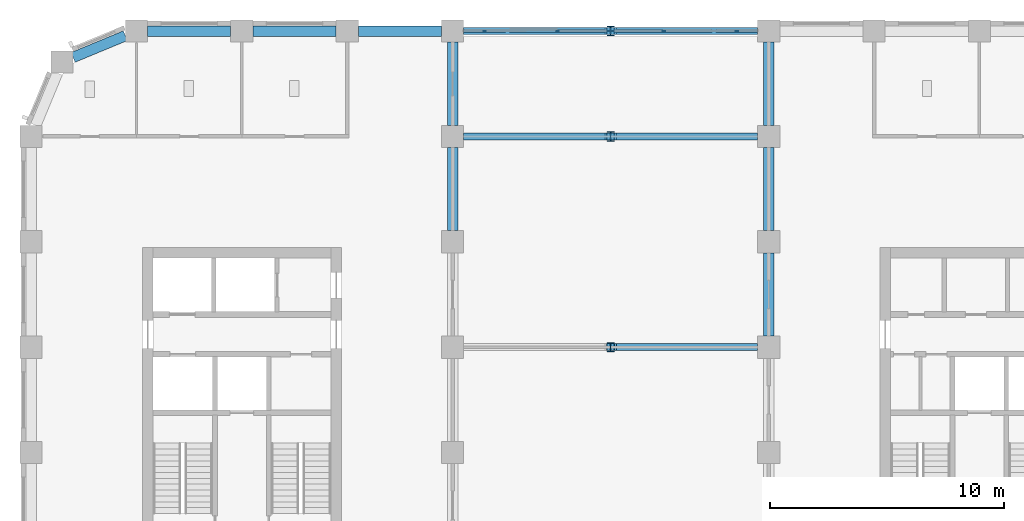
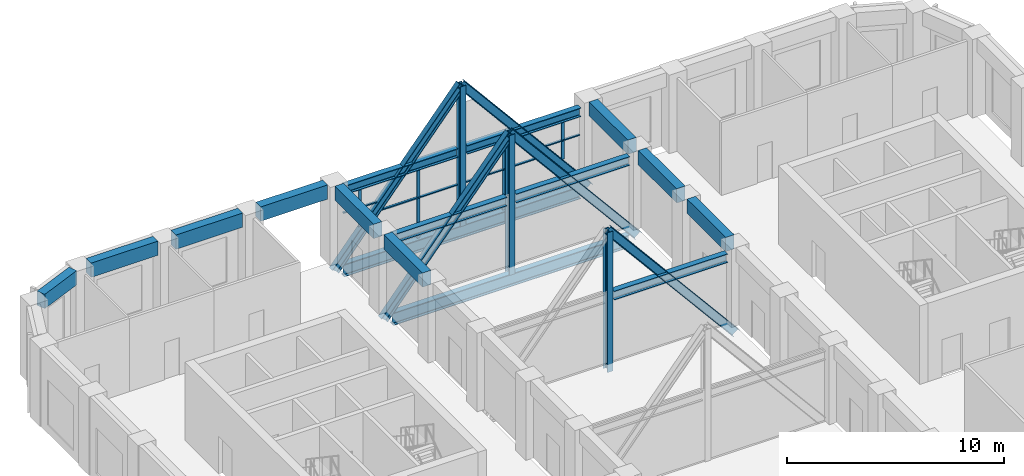
# One storey, part 5 of 15: 23 members, 9 beams, 4 elements without a shape of their own.
"""IFC4 building model written with IfcOpenShell, lengths in metres."""

from ifc_helpers import new_model, si_unit, direction, frame, origin, origin_2d, place, context, subcontext, project, spatial, rectangle, i_section, extrude, material, material_profile, profile_set, type_object, element, aggregate, save


model = new_model("IFC4")

# Units and contexts
model_context = context("Model", 3, precision=1e-05, world=origin(), true_north=direction((0.0, 1.0)))
body_context = subcontext(model_context, "Body", "Model", "MODEL_VIEW")
ifc_project = project(units=[si_unit("LENGTHUNIT", "METRE"), si_unit("AREAUNIT", "SQUARE_METRE"), si_unit("VOLUMEUNIT", "CUBIC_METRE"), si_unit("PLANEANGLEUNIT", "RADIAN"), si_unit("MASSUNIT", "GRAM", prefix="KILO")], contexts=[model_context])

# Site, building, storey
site_placement = place(None, origin())
site = spatial("IfcSite", under=ifc_project, at=site_placement, CompositionType="ELEMENT")
building_placement = place(site_placement, origin())
building = spatial("IfcBuilding", under=site, at=building_placement, Name="Girih Gate Residences", CompositionType="ELEMENT")
storey_placement = place(building_placement, frame((0.0, 0.0, 168.199951171875)))
storey = spatial("IfcBuildingStorey", under=building, at=storey_placement, Name="L46", CompositionType="ELEMENT", Elevation=168.199951171875)

# Members
ifc_material_1 = material(Name="Steel S460", Category="steel")
ifc_material_profile_1 = material_profile(ifc_material_1, i_section(OverallWidth=0.300048828125, OverallDepth=0.699951171875, WebThickness=0.01708984375, FlangeThickness=0.031982421875, FilletRadius=0.027099609375, at=origin_2d()))
ifc_profile_set_1 = profile_set([ifc_material_profile_1], Name="Steel S460")
member_type_1 = type_object("IfcMemberType", Name="Bridge truss bottom chord HE 700 B Steel S460", PredefinedType="CHORD", material=ifc_profile_set_1)
for number, where, z_axis, x_axis, name in (
    (1, (18.47509765625, 45.0, -0.800048828125), (1.0, 0.0, 0.0), (0.0, 1.0, 0.0), "Bridge truss chord at 45"),
    (2, (18.47509765625, 49.5, -0.800048828125), (1.0, 0.0, 0.0), (0.0, 1.0, 0.0), "Bridge truss chord at 49.5"),
):
    element("IfcMember", number, at=place(storey_placement, frame(where, z_axis=z_axis, x_axis=x_axis)), inside=storey, type_object=member_type_1, Name=name, PredefinedType="CHORD", context=body_context, shape_type="SweptSolid", body=[
        extrude(i_section(OverallWidth=0.300048828125, OverallDepth=0.699951171875, WebThickness=0.01708984375, FlangeThickness=0.031982421875, FilletRadius=0.027099609375, at=origin_2d()), origin(), (0.0, 0.0, 1.0), 12.5498046875),
    ])
ifc_material_profile_2 = material_profile(ifc_material_1, i_section(OverallWidth=0.300048828125, OverallDepth=0.5, WebThickness=0.014404296875, FlangeThickness=0.028076171875, FilletRadius=0.027099609375, at=origin_2d()))
ifc_profile_set_2 = profile_set([ifc_material_profile_2], Name="Steel S460")
member_type_2 = type_object("IfcMemberType", Name="Bridge truss chord HE 500 B Steel S460", PredefinedType="CHORD", material=ifc_profile_set_2)
for number, where, z_axis, x_axis, name in (
    (3, (25.0, 36.0, 3.699951171875), (1.0, 0.0, 0.0), (0.0, 1.0, 0.0), "Bridge truss chord at 36"),
    (4, (18.47509765625, 45.0, 3.699951171875), (1.0, 0.0, 0.0), (0.0, 1.0, 0.0), "Bridge truss chord at 45"),
    (5, (25.0, 45.0, 3.699951171875), (1.0, 0.0, 0.0), (0.0, 1.0, 0.0), "Bridge truss chord at 45"),
    (6, (18.47509765625, 49.5, 3.699951171875), (1.0, 0.0, 0.0), (0.0, 1.0, 0.0), "Bridge truss chord at 49.5"),
    (7, (25.0, 49.5, 3.699951171875), (1.0, 0.0, 0.0), (0.0, 1.0, 0.0), "Bridge truss chord at 49.5"),
):
    element("IfcMember", number, at=place(storey_placement, frame(where, z_axis=z_axis, x_axis=x_axis)), inside=storey, type_object=member_type_2, Name=name, PredefinedType="CHORD", context=body_context, shape_type="SweptSolid", body=[
        extrude(i_section(OverallWidth=0.300048828125, OverallDepth=0.5, WebThickness=0.014404296875, FlangeThickness=0.028076171875, FilletRadius=0.027099609375, at=origin_2d()), origin(), (0.0, 0.0, 1.0), 6.02490234375),
    ])
ifc_material_profile_3 = material_profile(ifc_material_1, i_section(OverallWidth=0.300048828125, OverallDepth=0.43994140625, WebThickness=0.013916015625, FlangeThickness=0.02587890625, FilletRadius=0.027099609375, at=origin_2d()))
ifc_profile_set_3 = profile_set([ifc_material_profile_3], Name="Steel S460")
member_type_3 = type_object("IfcMemberType", Name="Bridge truss diagonal HE 450 B Steel S460", PredefinedType="BRACE", material=ifc_profile_set_3)
for number, where, z_axis, x_axis, name in (
    (8, (24.75, 36.0, 7.400146484375), (0.64017984464, 0.0, -0.768225075429), (0.0, 1.0, 0.0), "Bridge truss diagonal at 36"),
    (9, (18.0, 45.0, -0.699951171875), (0.64017984464, 0.0, 0.768225075429), (0.0, 1.0, 0.0), "Bridge truss diagonal at 45"),
    (10, (24.75, 45.0, 7.400146484375), (0.64017984464, 0.0, -0.768225075429), (0.0, 1.0, 0.0), "Bridge truss diagonal at 45"),
    (11, (18.0, 49.5, -0.699951171875), (0.64017984464, 0.0, 0.768225075429), (0.0, 1.0, 0.0), "Bridge truss diagonal at 49.5"),
    (12, (24.75, 49.5, 7.400146484375), (0.64017984464, 0.0, -0.768225075429), (0.0, 1.0, 0.0), "Bridge truss diagonal at 49.5"),
):
    element("IfcMember", number, at=place(storey_placement, frame(where, z_axis=z_axis, x_axis=x_axis)), inside=storey, type_object=member_type_3, Name=name, PredefinedType="BRACE", context=body_context, shape_type="SweptSolid", body=[
        extrude(i_section(OverallWidth=0.300048828125, OverallDepth=0.43994140625, WebThickness=0.013916015625, FlangeThickness=0.02587890625, FilletRadius=0.027099609375, at=origin_2d()), origin(), (0.0, 0.0, 1.0), 10.5439453125),
    ])
ifc_material_profile_4 = material_profile(ifc_material_1, i_section(OverallWidth=0.300048828125, OverallDepth=0.39990234375, WebThickness=0.013427734375, FlangeThickness=0.02392578125, FilletRadius=0.027099609375, at=origin_2d()))
ifc_profile_set_4 = profile_set([ifc_material_profile_4], Name="Steel S460")
member_type_4 = type_object("IfcMemberType", Name="Bridge truss post HE 400 B Steel S460", PredefinedType="POST", material=ifc_profile_set_4)
for number, where, z_axis, x_axis, name in (
    (13, (24.75, 36.0, -0.449951171875), (0.0, 0.0, 1.0), (1.0, 0.0, 0.0), "Bridge truss post at 36"),
    (14, (24.75, 45.0, -0.449951171875), (0.0, 0.0, 1.0), (1.0, 0.0, 0.0), "Bridge truss post at 45"),
    (15, (24.75, 49.5, -0.449951171875), (0.0, 0.0, 1.0), (1.0, 0.0, 0.0), "Bridge truss post at 49.5"),
):
    element("IfcMember", number, at=place(storey_placement, frame(where, z_axis=z_axis, x_axis=x_axis)), inside=storey, type_object=member_type_4, Name=name, PredefinedType="POST", context=body_context, shape_type="SweptSolid", body=[
        extrude(i_section(OverallWidth=0.300048828125, OverallDepth=0.39990234375, WebThickness=0.013427734375, FlangeThickness=0.02392578125, FilletRadius=0.027099609375, at=origin_2d()), origin(), (0.0, 0.0, 1.0), 7.85009765625),
    ])

# Curtain wall, member
ifc_material_2 = material(Name="Aluminium curtain wall frame", Category="aluminium")
curtain_wall_type = type_object("IfcCurtainWallType", Name="Curtain wall CW-4 bridge glazing", PredefinedType="NOTDEFINED", material=ifc_material_2)
curtain_wall_1_placement = place(storey_placement, origin())
curtain_wall_1 = element("IfcCurtainWall", 16, at=curtain_wall_1_placement, inside=storey, type_object=curtain_wall_type, Name="CW-4 Bridge glazing N1", PredefinedType="NOTDEFINED")
ifc_material_profile_5 = material_profile(ifc_material_2, rectangle(XDim=0.06005859375, YDim=0.159912109375, at=origin_2d()))
ifc_profile_set_5 = profile_set([ifc_material_profile_5], Name="Aluminium curtain wall frame")
member_type_5 = type_object("IfcMemberType", Name="Curtain wall mullion 60x160", PredefinedType="MULLION", material=ifc_profile_set_5)
member_1_placement = place(storey_placement, frame((19.36328125, 49.5, 1.30322265625), z_axis=(0.0, 0.0, 1.0), x_axis=(0.0, 1.0, 0.0)))
member_1 = element("IfcMember", 17, at=member_1_placement, type_object=member_type_5, Name="CW-4 mullion N1", PredefinedType="MULLION", context=body_context, shape_type="SweptSolid", body=[
    extrude(rectangle(XDim=0.06005859375, YDim=0.159912109375, at=origin_2d()), origin(), (0.0, 0.0, 1.0), 2.1318359375),
])

curtain_wall_2_placement = place(storey_placement, origin())
curtain_wall_2 = element("IfcCurtainWall", 18, at=curtain_wall_2_placement, inside=storey, type_object=curtain_wall_type, Name="CW-4 Bridge glazing N3", PredefinedType="NOTDEFINED")
member_2_placement = place(storey_placement, frame((22.479736328125, 49.5, -0.43505859375), z_axis=(0.0, 0.0, 1.0), x_axis=(0.0, 1.0, 0.0)))
member_2 = element("IfcMember", 19, at=member_2_placement, type_object=member_type_5, Name="CW-4 mullion N3", PredefinedType="MULLION", context=body_context, shape_type="SweptSolid", body=[
    extrude(rectangle(XDim=0.06005859375, YDim=0.159912109375, at=origin_2d()), origin(), (0.0, 0.0, 1.0), 3.8701171875),
])

curtain_wall_3_placement = place(storey_placement, origin())
curtain_wall_3 = element("IfcCurtainWall", 20, at=curtain_wall_3_placement, inside=storey, type_object=curtain_wall_type, Name="CW-4 Bridge glazing N4", PredefinedType="NOTDEFINED")
member_3_placement = place(storey_placement, frame((27.020263671875, 49.5, -0.43505859375), z_axis=(0.0, 0.0, 1.0), x_axis=(0.0, 1.0, 0.0)))
member_3 = element("IfcMember", 21, at=member_3_placement, type_object=member_type_5, Name="CW-4 mullion N4", PredefinedType="MULLION", context=body_context, shape_type="SweptSolid", body=[
    extrude(rectangle(XDim=0.06005859375, YDim=0.159912109375, at=origin_2d()), origin(), (0.0, 0.0, 1.0), 3.8701171875),
])

curtain_wall_4_placement = place(storey_placement, origin())
curtain_wall_4 = element("IfcCurtainWall", 22, at=curtain_wall_4_placement, inside=storey, type_object=curtain_wall_type, Name="CW-4 Bridge glazing N6", PredefinedType="NOTDEFINED")
member_4_placement = place(storey_placement, frame((30.13671875, 49.5, 1.30322265625), z_axis=(0.0, 0.0, 1.0), x_axis=(0.0, 1.0, 0.0)))
member_4 = element("IfcMember", 23, at=member_4_placement, type_object=member_type_5, Name="CW-4 mullion N6", PredefinedType="MULLION", context=body_context, shape_type="SweptSolid", body=[
    extrude(rectangle(XDim=0.06005859375, YDim=0.159912109375, at=origin_2d()), origin(), (0.0, 0.0, 1.0), 2.1318359375),
])

# Member
ifc_material_profile_6 = material_profile(ifc_material_2, rectangle(XDim=0.1201171875, YDim=0.06005859375, at=origin_2d()))
ifc_profile_set_6 = profile_set([ifc_material_profile_6], Name="Aluminium curtain wall frame")
member_type_6 = type_object("IfcMemberType", Name="Curtain wall transom 60x120", PredefinedType="USERDEFINED", material=ifc_profile_set_6)
member_5_placement = place(storey_placement, frame((18.47509765625, 49.5, 2.369140625), z_axis=(1.0, 0.0, 0.0), x_axis=(0.0, 1.0, 0.0)))
member_5 = element("IfcMember", 24, at=member_5_placement, type_object=member_type_6, Name="CW-4 transom N1", ObjectType="TRANSOM", PredefinedType="USERDEFINED", context=body_context, shape_type="SweptSolid", body=[
    extrude(rectangle(XDim=0.1201171875, YDim=0.06005859375, at=origin_2d()), origin(), (0.0, 0.0, 1.0), 1.776611328125),
])

aggregate(curtain_wall_1, [member_1, member_5])

member_6_placement = place(storey_placement, frame((20.42236328125, 49.5, 1.839599609375), z_axis=(1.0, 0.0, 0.0), x_axis=(0.0, 1.0, 0.0)))
member_6 = element("IfcMember", 25, at=member_6_placement, type_object=member_type_6, Name="CW-4 transom N3", ObjectType="TRANSOM", PredefinedType="USERDEFINED", context=body_context, shape_type="SweptSolid", body=[
    extrude(rectangle(XDim=0.1201171875, YDim=0.06005859375, at=origin_2d()), origin(), (0.0, 0.0, 1.0), 4.112548828125),
])

aggregate(curtain_wall_2, [member_2, member_6])

member_7_placement = place(storey_placement, frame((24.965087890625, 49.5, 1.839599609375), z_axis=(1.0, 0.0, 0.0), x_axis=(0.0, 1.0, 0.0)))
member_7 = element("IfcMember", 26, at=member_7_placement, type_object=member_type_6, Name="CW-4 transom N4", ObjectType="TRANSOM", PredefinedType="USERDEFINED", context=body_context, shape_type="SweptSolid", body=[
    extrude(rectangle(XDim=0.1201171875, YDim=0.06005859375, at=origin_2d()), origin(), (0.0, 0.0, 1.0), 4.112548828125),
])

aggregate(curtain_wall_3, [member_3, member_7])

member_8_placement = place(storey_placement, frame((29.248291015625, 49.5, 2.369140625), z_axis=(1.0, 0.0, 0.0), x_axis=(0.0, 1.0, 0.0)))
member_8 = element("IfcMember", 27, at=member_8_placement, type_object=member_type_6, Name="CW-4 transom N6", ObjectType="TRANSOM", PredefinedType="USERDEFINED", context=body_context, shape_type="SweptSolid", body=[
    extrude(rectangle(XDim=0.1201171875, YDim=0.06005859375, at=origin_2d()), origin(), (0.0, 0.0, 1.0), 1.776611328125),
])

aggregate(curtain_wall_4, [member_4, member_8])

# Beams
ifc_material_3 = material(Name="Concrete C60/75", Category="concrete")
ifc_material_profile_7 = material_profile(ifc_material_3, rectangle(XDim=0.449951171875, YDim=0.800048828125, at=origin_2d()))
ifc_profile_set_7 = profile_set([ifc_material_profile_7], Name="Concrete C60/75")
beam_type = type_object("IfcBeamType", Name="Spandrel girder RC 450x800 Concrete C60/75", PredefinedType="BEAM", material=ifc_profile_set_7)
for number, where, z_axis, x_axis, name in (
    (28, (17.52490234375, 49.5, 4.0), (-1.0, 0.0, 0.0), (0.0, -1.0, 0.0), "Spandrel girder SP-P5L-P4L L46"),
    (29, (13.02490234375, 49.5, 4.0), (-1.0, 0.0, 0.0), (0.0, -1.0, 0.0), "Spandrel girder SP-P4L-P3L L46"),
    (30, (8.52490234375, 49.5, 4.0), (-1.0, 0.0, 0.0), (0.0, -1.0, 0.0), "Spandrel girder SP-P3L-P2L L46"),
):
    element("IfcBeam", number, at=place(storey_placement, frame(where, z_axis=z_axis, x_axis=x_axis)), inside=storey, type_object=beam_type, Name=name, PredefinedType="BEAM", context=body_context, shape_type="SweptSolid", body=[
        extrude(rectangle(XDim=0.449951171875, YDim=0.800048828125, at=origin_2d()), origin(), (0.0, 0.0, 1.0), 3.5498046875),
    ])
beam_placement = place(storey_placement, frame((4.02490234375, 49.30322265625, 4.0), z_axis=(-0.923870256451, -0.382705825988, 0.0), x_axis=(0.382705825988, -0.923870256451, 0.0)))
element("IfcBeam", 31, at=beam_placement, inside=storey, type_object=beam_type, Name="Spandrel girder SP-P2L-P1LSE L46", PredefinedType="BEAM", context=body_context, shape_type="SweptSolid", body=[
    extrude(rectangle(XDim=0.449951171875, YDim=0.800048828125, at=origin_2d()), origin(), (0.0, 0.0, 1.0), 2.415771484375),
])
for number, where, z_axis, x_axis, name in (
    (32, (18.0, 40.97509765625, 4.0), (0.0, 1.0, 0.0), (-1.0, 0.0, 0.0), "Spandrel girder SP-P5J-P5K L46"),
    (33, (18.0, 45.47509765625, 4.0), (0.0, 1.0, 0.0), (-1.0, 0.0, 0.0), "Spandrel girder SP-P5K-P5L L46"),
    (34, (31.5, 36.47509765625, 4.0), (0.0, 1.0, 0.0), (-1.0, 0.0, 0.0), "Spandrel girder SP-P8I-P8J L46"),
    (35, (31.5, 40.97509765625, 4.0), (0.0, 1.0, 0.0), (-1.0, 0.0, 0.0), "Spandrel girder SP-P8J-P8K L46"),
    (36, (31.5, 45.47509765625, 4.0), (0.0, 1.0, 0.0), (-1.0, 0.0, 0.0), "Spandrel girder SP-P8K-P8L L46"),
):
    element("IfcBeam", number, at=place(storey_placement, frame(where, z_axis=z_axis, x_axis=x_axis)), inside=storey, type_object=beam_type, Name=name, PredefinedType="BEAM", context=body_context, shape_type="SweptSolid", body=[
        extrude(rectangle(XDim=0.449951171875, YDim=0.800048828125, at=origin_2d()), origin(), (0.0, 0.0, 1.0), 3.5498046875),
    ])

save(model, "model.ifc")
